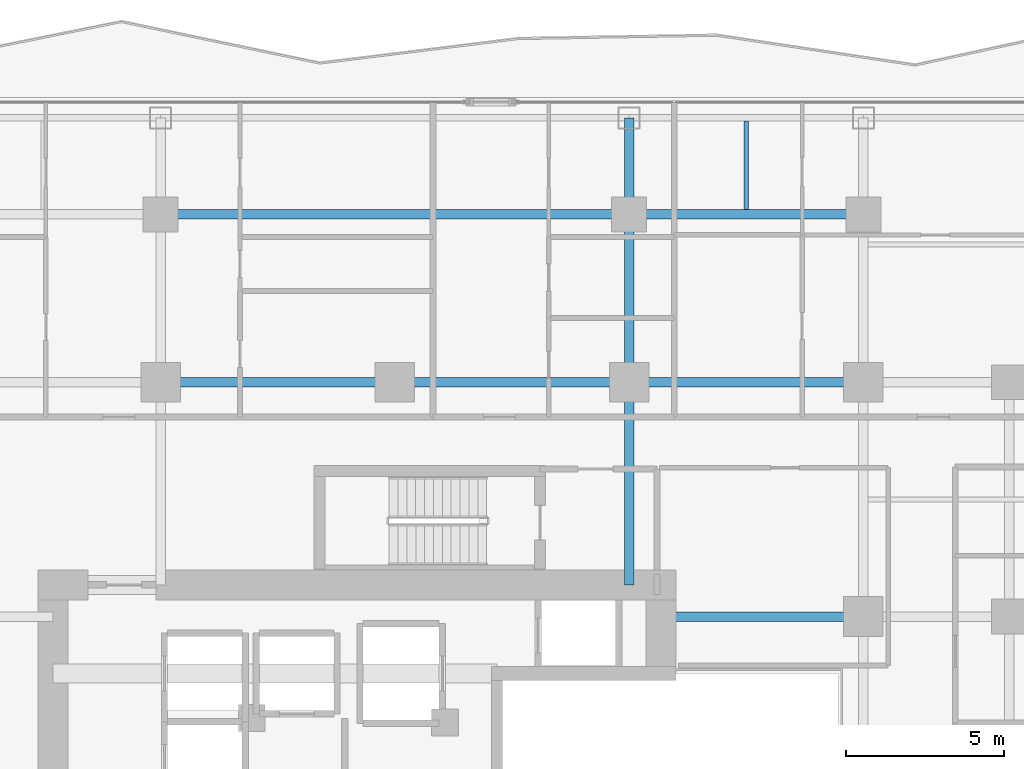
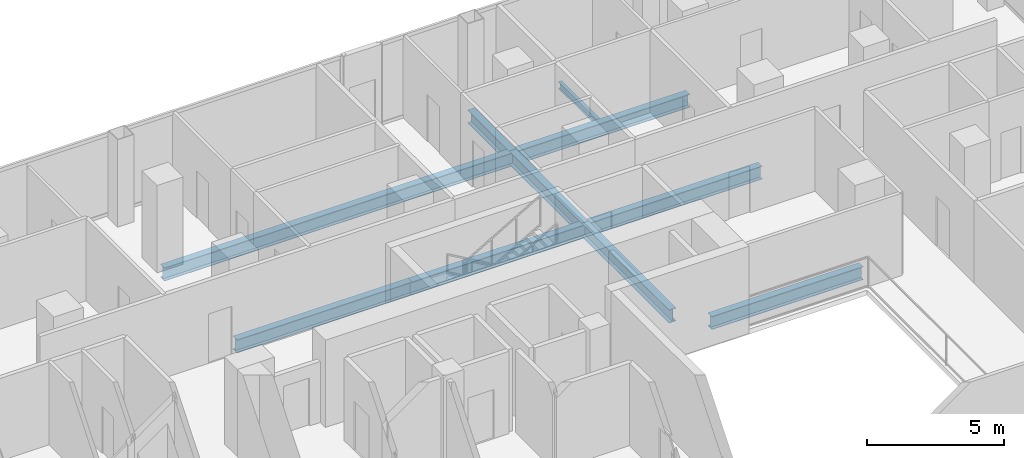
# One storey, part 13 of 29: 10 beams.
"""IFC4 building model written with IfcOpenShell, lengths in metres."""

from ifc_helpers import new_model, si_unit, direction, frame, origin, origin_2d, place, context, subcontext, project, spatial, i_section, extrude, material, material_profile, profile_set, type_object, element, save


model = new_model("IFC4")

# Units and contexts
model_context = context("Model", 3, precision=1e-05, world=origin(), true_north=direction((0.0, 1.0)))
body_context = subcontext(model_context, "Body", "Model", "MODEL_VIEW")
ifc_project = project(units=[si_unit("LENGTHUNIT", "METRE"), si_unit("AREAUNIT", "SQUARE_METRE"), si_unit("VOLUMEUNIT", "CUBIC_METRE"), si_unit("PLANEANGLEUNIT", "RADIAN"), si_unit("MASSUNIT", "GRAM", prefix="KILO")], contexts=[model_context])

# Site, building, storey
site_placement = place(None, origin())
site = spatial("IfcSite", under=ifc_project, at=site_placement, CompositionType="ELEMENT")
building_placement = place(site_placement, origin())
building = spatial("IfcBuilding", under=site, at=building_placement, Name="Khorvyn Point Tower", CompositionType="ELEMENT")
storey_placement = place(building_placement, frame((0.0, 0.0, 140.699951171875)))
storey = spatial("IfcBuildingStorey", under=building, at=storey_placement, Name="L35", CompositionType="ELEMENT", Elevation=140.699951171875)

# Beams
ifc_material = material(Name="Steel S355", Category="steel")
ifc_material_profile_1 = material_profile(ifc_material, i_section(OverallWidth=0.300048828125, OverallDepth=0.587890625, WebThickness=0.011962890625, FlangeThickness=0.02001953125, at=origin_2d()))
ifc_profile_set_1 = profile_set([ifc_material_profile_1], Name="Steel S355 H588x300x12x20")
beam_type_1 = type_object("IfcBeamType", Name="Steel S355 Beam H588x300x12x20", PredefinedType="BEAM", material=ifc_profile_set_1)
for number, where, z_axis, x_axis, name in (
    (1, (-7.39990234375, 14.800048828125, -0.513916015625), (1.0, 0.0, 0.0), (0.0, 1.0, 0.0), "Beam"),
    (2, (0.0, 14.800048828125, -0.513916015625), (1.0, 0.0, 0.0), (0.0, 1.0, 0.0), "Beam"),
):
    element("IfcBeam", number, at=place(storey_placement, frame(where, z_axis=z_axis, x_axis=x_axis)), inside=storey, type_object=beam_type_1, Name=name, PredefinedType="BEAM", context=body_context, shape_type="SweptSolid", body=[
        extrude(i_section(OverallWidth=0.300048828125, OverallDepth=0.587890625, WebThickness=0.011962890625, FlangeThickness=0.02001953125, at=origin_2d()), origin(), (0.0, 0.0, 1.0), 7.39990234375),
    ])
beam_1_placement = place(storey_placement, frame((7.39990234375, 14.800048828125, -0.513916015625), z_axis=(1.0, 0.0, 0.0), x_axis=(0.0, 1.0, 0.0)))
element("IfcBeam", 3, at=beam_1_placement, inside=storey, type_object=beam_type_1, Name="Beam", PredefinedType="BEAM", context=body_context, shape_type="SweptSolid", body=[
    extrude(i_section(OverallWidth=0.300048828125, OverallDepth=0.587890625, WebThickness=0.011962890625, FlangeThickness=0.02001953125, at=origin_2d()), origin(), (0.0, 0.0, 1.0), 7.400146484375),
])
beam_2_placement = place(storey_placement, frame((8.39990234375, 7.39990234375, -0.513916015625), z_axis=(1.0, 0.0, 0.0), x_axis=(0.0, 1.0, 0.0)))
element("IfcBeam", 4, at=beam_2_placement, inside=storey, type_object=beam_type_1, Name="Beam", PredefinedType="BEAM", context=body_context, shape_type="SweptSolid", body=[
    extrude(i_section(OverallWidth=0.300048828125, OverallDepth=0.587890625, WebThickness=0.011962890625, FlangeThickness=0.02001953125, at=origin_2d()), origin(), (0.0, 0.0, 1.0), 6.400146484375),
])
beam_3_placement = place(storey_placement, frame((-7.39990234375, 20.10009765625, -0.513916015625), z_axis=(1.0, 0.0, 0.0), x_axis=(0.0, 1.0, 0.0)))
element("IfcBeam", 5, at=beam_3_placement, inside=storey, type_object=beam_type_1, Name="Beam", PredefinedType="BEAM", context=body_context, shape_type="SweptSolid", body=[
    extrude(i_section(OverallWidth=0.300048828125, OverallDepth=0.587890625, WebThickness=0.011962890625, FlangeThickness=0.02001953125, at=origin_2d()), origin(), (0.0, 0.0, 1.0), 14.7998046875),
])
beam_4_placement = place(storey_placement, frame((7.39990234375, 20.10009765625, -0.513916015625), z_axis=(1.0, 0.0, 0.0), x_axis=(0.0, 1.0, 0.0)))
element("IfcBeam", 6, at=beam_4_placement, inside=storey, type_object=beam_type_1, Name="Beam", PredefinedType="BEAM", context=body_context, shape_type="SweptSolid", body=[
    extrude(i_section(OverallWidth=0.300048828125, OverallDepth=0.587890625, WebThickness=0.011962890625, FlangeThickness=0.02001953125, at=origin_2d()), origin(), (0.0, 0.0, 1.0), 7.400146484375),
])
beam_5_placement = place(storey_placement, frame((7.39990234375, 8.39990234375, -0.513916015625), z_axis=(0.0, 1.0, 0.0), x_axis=(-1.0, 0.0, 0.0)))
element("IfcBeam", 7, at=beam_5_placement, inside=storey, type_object=beam_type_1, Name="Beam", PredefinedType="BEAM", context=body_context, shape_type="SweptSolid", body=[
    extrude(i_section(OverallWidth=0.300048828125, OverallDepth=0.587890625, WebThickness=0.011962890625, FlangeThickness=0.02001953125, at=origin_2d()), origin(), (0.0, 0.0, 1.0), 6.400146484375),
])
beam_6_placement = place(storey_placement, frame((7.39990234375, 14.800048828125, -0.513916015625), z_axis=(0.0, 1.0, 0.0), x_axis=(-1.0, 0.0, 0.0)))
element("IfcBeam", 8, at=beam_6_placement, inside=storey, type_object=beam_type_1, Name="Beam", PredefinedType="BEAM", context=body_context, shape_type="SweptSolid", body=[
    extrude(i_section(OverallWidth=0.300048828125, OverallDepth=0.587890625, WebThickness=0.011962890625, FlangeThickness=0.02001953125, at=origin_2d()), origin(), (0.0, 0.0, 1.0), 5.300048828125),
])
beam_7_placement = place(storey_placement, frame((7.39990234375, 20.10009765625, -0.513916015625), z_axis=(0.0, 1.0, 0.0), x_axis=(-1.0, 0.0, 0.0)))
element("IfcBeam", 9, at=beam_7_placement, inside=storey, type_object=beam_type_1, Name="Beam", PredefinedType="BEAM", context=body_context, shape_type="SweptSolid", body=[
    extrude(i_section(OverallWidth=0.300048828125, OverallDepth=0.587890625, WebThickness=0.011962890625, FlangeThickness=0.02001953125, at=origin_2d()), origin(), (0.0, 0.0, 1.0), 3.0498046875),
])
ifc_material_profile_2 = material_profile(ifc_material, i_section(OverallWidth=0.14990234375, OverallDepth=0.300048828125, WebThickness=0.006591796875, FlangeThickness=0.009033203125, at=origin_2d()))
ifc_profile_set_2 = profile_set([ifc_material_profile_2], Name="Steel S355 H300x150x6.5x9")
beam_type_2 = type_object("IfcBeamType", Name="Steel S355 Joist H300x150x6.5x9", PredefinedType="JOIST", material=ifc_profile_set_2)
beam_8_placement = place(storey_placement, frame((11.10009765625, 20.25, -0.369873046875), z_axis=(0.0, 1.0, 0.0), x_axis=(-1.0, 0.0, 0.0)))
element("IfcBeam", 10, at=beam_8_placement, inside=storey, type_object=beam_type_2, Name="Beam", PredefinedType="JOIST", context=body_context, shape_type="SweptSolid", body=[
    extrude(i_section(OverallWidth=0.14990234375, OverallDepth=0.300048828125, WebThickness=0.006591796875, FlangeThickness=0.009033203125, at=origin_2d()), origin(), (0.0, 0.0, 1.0), 2.800048828125),
])

save(model, "model.ifc")
